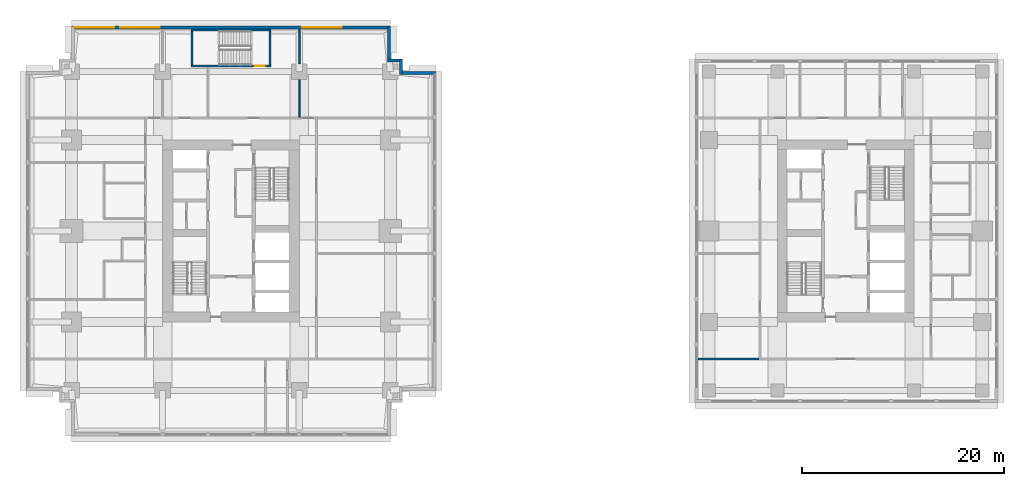
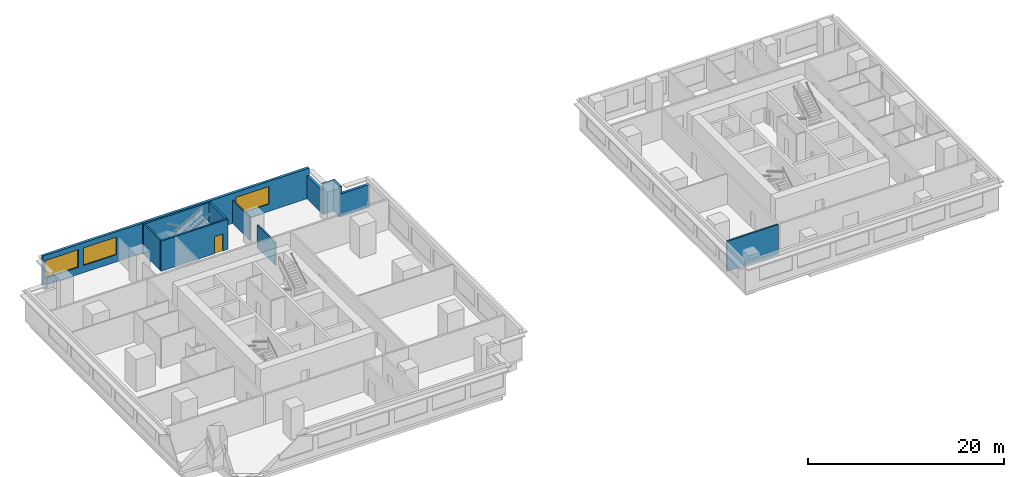
# One storey, part 5 of 11: 12 walls, 3 windows, 1 door, 4 openings.
"""IFC4 building model written with IfcOpenShell, lengths in metres."""

from ifc_helpers import new_model, si_unit, direction, frame, frame_2d, origin, place, context, subcontext, project, spatial, rectangle, extrude, material, layer, layer_set, type_object, element, fill, save


model = new_model("IFC4")

# Units and contexts
model_context = context("Model", 3, precision=1e-05, world=origin(), true_north=direction((0.0, 1.0)))
body_context = subcontext(model_context, "Body", "Model", "MODEL_VIEW")
ifc_project = project(units=[si_unit("LENGTHUNIT", "METRE"), si_unit("AREAUNIT", "SQUARE_METRE"), si_unit("VOLUMEUNIT", "CUBIC_METRE"), si_unit("PLANEANGLEUNIT", "RADIAN"), si_unit("MASSUNIT", "GRAM", prefix="KILO")], contexts=[model_context])

# Site, building, storey
site_placement = place(None, origin())
site = spatial("IfcSite", under=ifc_project, at=site_placement, CompositionType="ELEMENT")
building_placement = place(site_placement, origin())
building = spatial("IfcBuilding", under=site, at=building_placement, Name="Namib Vertical Campus", CompositionType="ELEMENT")
storey_placement = place(building_placement, frame((0.0, 0.0, 205.0)))
storey = spatial("IfcBuildingStorey", under=building, at=storey_placement, Name="L48", CompositionType="ELEMENT", Elevation=205.0)

# Walls
ifc_material_1 = material(Name="Concrete masonry", Category="masonry")
ifc_layer_1 = layer(ifc_material_1, 0.199951171875)
ifc_layer_set_1 = layer_set([ifc_layer_1], Name="Corridor wall 200")
wall_type_1 = type_object("IfcWallType", Name="Corridor wall 200", PredefinedType="SOLIDWALL", material=ifc_layer_set_1)
wall_1_placement = place(storey_placement, frame((66.39990234375, 7.60009765625, 0.0), z_axis=(0.0, 0.0, 1.0), x_axis=(1.0, 0.0, 0.0)))
element("IfcWall", 1, at=wall_1_placement, inside=storey, type_object=wall_type_1, Name="Partition B L48 BSW", PredefinedType="SOLIDWALL", context=body_context, shape_type="SweptSolid", body=[
    extrude(rectangle(XDim=6.050048828125, YDim=0.199951171875, at=frame_2d((3.02490234375, 0.0))), origin(), (0.0, 0.0, 1.0), 3.75),
])
ifc_material_2 = material(Name="Concrete C40/50", Category="concrete")
ifc_layer_2 = layer(ifc_material_2, 0.300048828125)
ifc_layer_set_2 = layer_set([ifc_layer_2], Name="Concrete C40/50")
wall_type_2 = type_object("IfcWallType", Name="External wall 300 board-marked concrete", PredefinedType="STANDARD", material=ifc_layer_set_2)
wall_2_placement = place(storey_placement, frame((40.47998046875, 35.85009765625, 0.0), z_axis=(0.0, 0.0, 1.0), x_axis=(-1.0, 0.0, 0.0)))
element("IfcWall", 2, at=wall_2_placement, inside=storey, type_object=wall_type_2, Name="External wall L48 F07", PredefinedType="STANDARD", context=body_context, shape_type="SweptSolid", body=[
    extrude(rectangle(XDim=3.534912109375, YDim=0.300048828125, at=frame_2d((1.767578125, 0.0))), origin(), (0.0, 0.0, 1.0), 2.85009765625),
])
for number, where, z_axis, x_axis, name in (
    (3, (37.074951171875, 35.719970703125, 0.0), (0.0, 0.0, 1.0), (0.0, 1.0, 0.0), "External wall L48 F08"),
    (4, (37.205078125, 37.074951171875, 0.0), (0.0, 0.0, 1.0), (-1.0, 0.0, 0.0), "External wall L48 F09"),
):
    element("IfcWall", number, at=place(storey_placement, frame(where, z_axis=z_axis, x_axis=x_axis)), inside=storey, type_object=wall_type_2, Name=name, PredefinedType="STANDARD", context=body_context, shape_type="SweptSolid", body=[
        extrude(rectangle(XDim=1.485107421875, YDim=0.300048828125, at=frame_2d((0.74267578125, 0.0))), origin(), (0.0, 0.0, 1.0), 3.75),
    ])
wall_3_placement = place(storey_placement, frame((35.85009765625, 36.945068359375, 0.0), z_axis=(0.0, 0.0, 1.0), x_axis=(0.0, 1.0, 0.0)))
element("IfcWall", 5, at=wall_3_placement, inside=storey, type_object=wall_type_2, Name="External wall L48 F10", PredefinedType="STANDARD", context=body_context, shape_type="SweptSolid", body=[
    extrude(rectangle(XDim=3.534912109375, YDim=0.300048828125, at=frame_2d((1.767578125, 0.0))), origin(), (0.0, 0.0, 1.0), 2.85009765625),
])

# Wall, openings, windows
wall_4_placement = place(storey_placement, frame((35.97998046875, 40.35009765625, 0.0), z_axis=(0.0, 0.0, 1.0), x_axis=(-1.0, 0.0, 0.0)))
wall_4 = element("IfcWall", 6, at=wall_4_placement, inside=storey, type_object=wall_type_2, Name="External wall L48 F11", PredefinedType="STANDARD", context=body_context, shape_type="SweptSolid", body=[
    extrude(rectangle(XDim=31.4599609375, YDim=0.300048828125, at=frame_2d((15.72998046875, 0.0))), origin(), (0.0, 0.0, 1.0), 3.75),
])
opening_1_placement = place(wall_4_placement, frame((27.280029296875, 0.0, 0.89990234375)))
opening_1 = element("IfcOpeningElement", 7, at=opening_1_placement, cuts=wall_4, Name="Opening W1", PredefinedType="OPENING", context=body_context, shape_type="SweptSolid", body=[
    extrude(rectangle(XDim=3.89990234375, YDim=2.199951171875, at=frame_2d((1.949951171875, 1.10009765625))), frame((0.0, 0.159912109375, 0.0), z_axis=(0.0, -1.0, 0.0), x_axis=(1.0, 0.0, 0.0)), (0.0, 0.0, 1.0), 0.320068359375),
])
opening_2_placement = place(wall_4_placement, frame((22.780029296875, 0.0, 0.89990234375)))
opening_2 = element("IfcOpeningElement", 8, at=opening_2_placement, cuts=wall_4, Name="Opening W1", PredefinedType="OPENING", context=body_context, shape_type="SweptSolid", body=[
    extrude(rectangle(XDim=3.89990234375, YDim=2.199951171875, at=frame_2d((1.949951171875, 1.10009765625))), frame((0.0, 0.159912109375, 0.0), z_axis=(0.0, -1.0, 0.0), x_axis=(1.0, 0.0, 0.0)), (0.0, 0.0, 1.0), 0.320068359375),
])
opening_3_placement = place(wall_4_placement, frame((4.780029296875, 0.0, 0.89990234375)))
opening_3 = element("IfcOpeningElement", 9, at=opening_3_placement, cuts=wall_4, Name="Opening W1", PredefinedType="OPENING", context=body_context, shape_type="SweptSolid", body=[
    extrude(rectangle(XDim=3.89990234375, YDim=2.199951171875, at=frame_2d((1.949951171875, 1.10009765625))), frame((0.0, 0.159912109375, 0.0), z_axis=(0.0, -1.0, 0.0), x_axis=(1.0, 0.0, 0.0)), (0.0, 0.0, 1.0), 0.320068359375),
])
ifc_material_3 = material(Name="Dark tinted glass in black aluminium frame", Category="aluminium")
window_type = type_object("IfcWindowType", Name="Ribbon window 3900x2200", PartitioningType="SINGLE_PANEL", PredefinedType="WINDOW", material=ifc_material_3)
window_1_placement = place(opening_1_placement, origin())
window_1 = element("IfcWindow", 10, at=window_1_placement, inside=storey, type_object=window_type, Name="Window W1 L48 F11-1", OverallHeight=2.199951171875, OverallWidth=3.89990234375, PartitioningType="SINGLE_PANEL", PredefinedType="WINDOW", context=body_context, shape_type="SweptSolid", body=[
    extrude(rectangle(XDim=3.89990234375, YDim=2.199951171875, at=frame_2d((1.949951171875, 1.10009765625))), frame((0.0, 0.030029296875, 0.0), z_axis=(0.0, -1.0, 0.0), x_axis=(1.0, 0.0, 0.0)), (0.0, 0.0, 1.0), 0.06005859375),
])
fill(opening_1, window_1)
window_2_placement = place(opening_2_placement, origin())
window_2 = element("IfcWindow", 11, at=window_2_placement, inside=storey, type_object=window_type, Name="Window W1 L48 F11-2", OverallHeight=2.199951171875, OverallWidth=3.89990234375, PartitioningType="SINGLE_PANEL", PredefinedType="WINDOW", context=body_context, shape_type="SweptSolid", body=[
    extrude(rectangle(XDim=3.89990234375, YDim=2.199951171875, at=frame_2d((1.949951171875, 1.10009765625))), frame((0.0, 0.030029296875, 0.0), z_axis=(0.0, -1.0, 0.0), x_axis=(1.0, 0.0, 0.0)), (0.0, 0.0, 1.0), 0.06005859375),
])
fill(opening_2, window_2)
window_3_placement = place(opening_3_placement, origin())
window_3 = element("IfcWindow", 12, at=window_3_placement, inside=storey, type_object=window_type, Name="Window W1 L48 F11-6", OverallHeight=2.199951171875, OverallWidth=3.89990234375, PartitioningType="SINGLE_PANEL", PredefinedType="WINDOW", context=body_context, shape_type="SweptSolid", body=[
    extrude(rectangle(XDim=3.89990234375, YDim=2.199951171875, at=frame_2d((1.949951171875, 1.10009765625))), frame((0.0, 0.030029296875, 0.0), z_axis=(0.0, -1.0, 0.0), x_axis=(1.0, 0.0, 0.0)), (0.0, 0.0, 1.0), 0.06005859375),
])
fill(opening_3, window_3)

# Walls
ifc_material_4 = material(Name="Gypsum board on steel studs", Category="steel")
ifc_layer_3 = layer(ifc_material_4, 0.14990234375)
ifc_layer_set_3 = layer_set([ifc_layer_3], Name="Gypsum board on steel studs")
wall_type_3 = type_object("IfcWallType", Name="Partition 150", PredefinedType="PARTITIONING", material=ifc_layer_set_3)
wall_5_placement = place(storey_placement, frame((27.0, 31.5, 0.0), z_axis=(0.0, 0.0, 1.0), x_axis=(0.0, 1.0, 0.0)))
element("IfcWall", 13, at=wall_5_placement, inside=storey, type_object=wall_type_3, Name="Partition A L48 PN3", PredefinedType="PARTITIONING", context=body_context, shape_type="SweptSolid", body=[
    extrude(rectangle(XDim=3.705078125, YDim=0.14990234375, at=frame_2d((1.8525390625, 0.0))), origin(), (0.0, 0.0, 1.0), 2.85009765625),
])
wall_6_placement = place(storey_placement, frame((27.0, 36.794921875, 0.0), z_axis=(0.0, 0.0, 1.0), x_axis=(0.0, 1.0, 0.0)))
element("IfcWall", 14, at=wall_6_placement, inside=storey, type_object=wall_type_3, Name="Partition A L48 PN3", PredefinedType="PARTITIONING", context=body_context, shape_type="SweptSolid", body=[
    extrude(rectangle(XDim=3.405029296875, YDim=0.14990234375, at=frame_2d((1.70263671875, 0.0))), origin(), (0.0, 0.0, 1.0), 2.85009765625),
])

# Wall, opening, door
ifc_material_5 = material(Name="Concrete C40/50", Category="concrete")
ifc_layer_4 = layer(ifc_material_5, 0.199951171875)
ifc_layer_set_4 = layer_set([ifc_layer_4], Name="Concrete C40/50")
wall_type_4 = type_object("IfcWallType", Name="Stair enclosure wall RC 200", PredefinedType="SOLIDWALL", material=ifc_layer_set_4)
wall_7_placement = place(storey_placement, frame((16.300048828125, 36.550048828125, 0.0), z_axis=(0.0, 0.0, 1.0), x_axis=(1.0, 0.0, 0.0)))
wall_7 = element("IfcWall", 15, at=wall_7_placement, inside=storey, type_object=wall_type_4, Name="Stair enclosure wall A-S3 L48 S", PredefinedType="SOLIDWALL", context=body_context, shape_type="SweptSolid", body=[
    extrude(rectangle(XDim=7.89990234375, YDim=0.199951171875, at=frame_2d((3.949951171875, 0.0))), origin(), (0.0, 0.0, 1.0), 3.75),
])
opening_4_placement = place(wall_7_placement, frame((6.300048828125, 0.0, 0.0)))
opening_4 = element("IfcOpeningElement", 16, at=opening_4_placement, cuts=wall_7, Name="Opening FD1", PredefinedType="OPENING", context=body_context, shape_type="SweptSolid", body=[
    extrude(rectangle(XDim=1.0, YDim=2.10009765625, at=frame_2d((0.5, 1.050048828125))), frame((0.0, 0.10986328125, 0.0), z_axis=(0.0, -1.0, 0.0), x_axis=(1.0, 0.0, 0.0)), (0.0, 0.0, 1.0), 0.219970703125),
])
ifc_material_6 = material(Name="Steel fire door", Category="steel")
door_type = type_object("IfcDoorType", Name="Fire door 1000x2100", OperationType="SINGLE_SWING_RIGHT", PredefinedType="DOOR", material=ifc_material_6)
door_placement = place(opening_4_placement, origin())
door = element("IfcDoor", 17, at=door_placement, inside=storey, type_object=door_type, Name="Stair door FD1 A L48 S3", OperationType="SINGLE_SWING_RIGHT", OverallHeight=2.10009765625, OverallWidth=1.0, PredefinedType="DOOR", context=body_context, shape_type="SweptSolid", body=[
    extrude(rectangle(XDim=1.0, YDim=2.10009765625, at=frame_2d((0.5, 1.050048828125))), frame((0.0, 0.02490234375, 0.0), z_axis=(0.0, -1.0, 0.0), x_axis=(1.0, 0.0, 0.0)), (0.0, 0.0, 1.0), 0.050048828125),
])
fill(opening_4, door)

# Walls
wall_8_placement = place(storey_placement, frame((16.300048828125, 40.10009765625, 0.0), z_axis=(0.0, 0.0, 1.0), x_axis=(1.0, 0.0, 0.0)))
element("IfcWall", 18, at=wall_8_placement, inside=storey, type_object=wall_type_4, Name="Stair enclosure wall A-S3 L48 N", PredefinedType="SOLIDWALL", context=body_context, shape_type="SweptSolid", body=[
    extrude(rectangle(XDim=7.89990234375, YDim=0.199951171875, at=frame_2d((3.949951171875, 0.0))), origin(), (0.0, 0.0, 1.0), 3.75),
])
for number, where, z_axis, x_axis, name in (
    (19, (16.39990234375, 36.64990234375, 0.0), (0.0, 0.0, 1.0), (0.0, 1.0, 0.0), "Stair enclosure wall A-S3 L48 W"),
    (20, (24.10009765625, 36.64990234375, 0.0), (0.0, 0.0, 1.0), (0.0, 1.0, 0.0), "Stair enclosure wall A-S3 L48 E"),
):
    element("IfcWall", number, at=place(storey_placement, frame(where, z_axis=z_axis, x_axis=x_axis)), inside=storey, type_object=wall_type_4, Name=name, PredefinedType="SOLIDWALL", context=body_context, shape_type="SweptSolid", body=[
        extrude(rectangle(XDim=3.35009765625, YDim=0.199951171875, at=frame_2d((1.675048828125, 0.0))), origin(), (0.0, 0.0, 1.0), 3.75),
    ])

save(model, "model.ifc")
